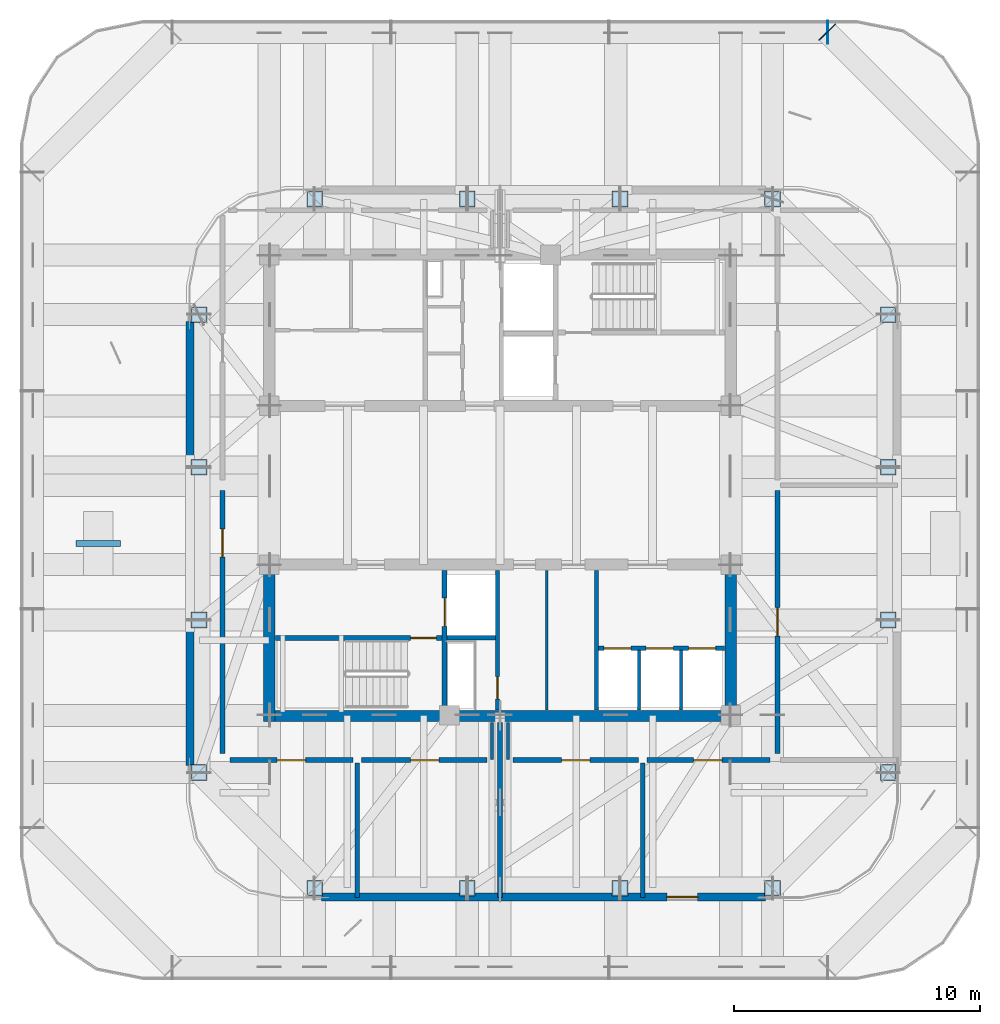
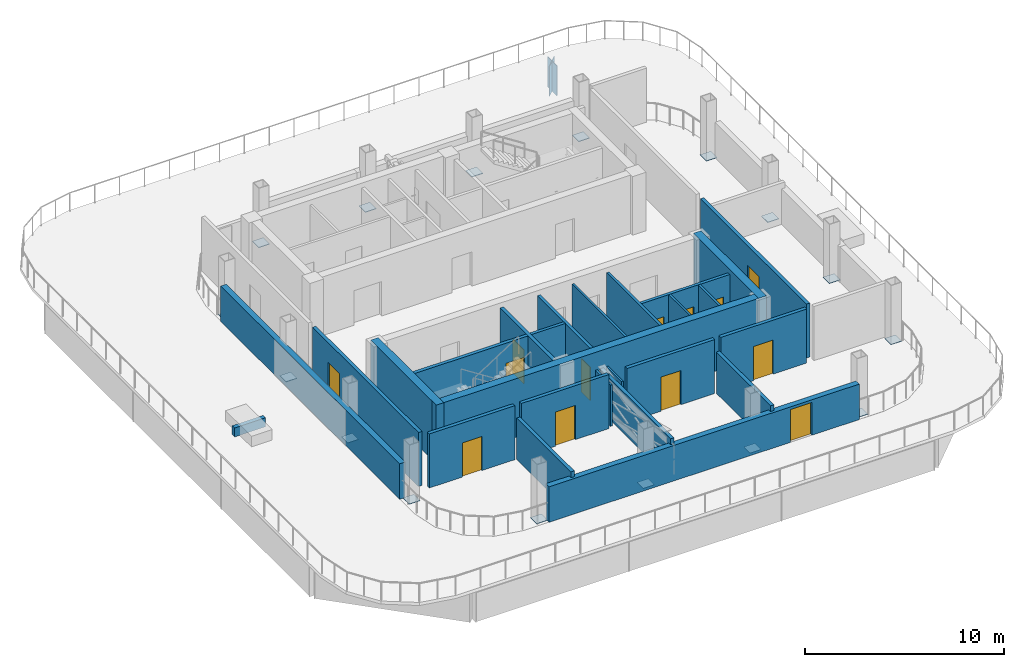
# One storey, part 4 of 10: 26 walls, 18 plates, 13 doors, 13 openings.
"""IFC4 building model written with IfcOpenShell, lengths in metres."""

from ifc_helpers import new_model, si_unit, direction, frame, frame_2d, origin, origin_2d, place, context, subcontext, project, spatial, rectangle, extrude, material, layer, layer_set, type_object, element, fill, save


model = new_model("IFC4")

# Units and contexts
model_context = context("Model", 3, precision=1e-05, world=origin(), true_north=direction((0.0, 1.0)))
body_context = subcontext(model_context, "Body", "Model", "MODEL_VIEW")
ifc_project = project(units=[si_unit("LENGTHUNIT", "METRE"), si_unit("AREAUNIT", "SQUARE_METRE"), si_unit("VOLUMEUNIT", "CUBIC_METRE"), si_unit("PLANEANGLEUNIT", "RADIAN"), si_unit("MASSUNIT", "GRAM", prefix="KILO")], contexts=[model_context])

# Site, building, storey
site_placement = place(None, origin())
site = spatial("IfcSite", under=ifc_project, at=site_placement, CompositionType="ELEMENT")
building_placement = place(site_placement, origin())
building = spatial("IfcBuilding", under=site, at=building_placement, Name="Qhalaya Broadcast Tower", CompositionType="ELEMENT")
storey_placement = place(building_placement, frame((0.0, 0.0, 231.300048828125)))
storey = spatial("IfcBuildingStorey", under=building, at=storey_placement, Name="L68", CompositionType="ELEMENT", Elevation=231.300048828125)

# Plates
ifc_material_1 = material(Name="Structural Steel ASTM A572 Grade 50", Category="steel")
ifc_layer_1 = layer(ifc_material_1, 0.4599609375, Name="Structural Steel ASTM A572 Grade 50")
ifc_layer_set_1 = layer_set([ifc_layer_1], Name="Structural Steel ASTM A572 Grade 50")
plate_type = type_object("IfcPlateType", Name="Hollow Box Member End Cap Plate CP-01", PredefinedType="USERDEFINED", material=ifc_layer_set_1)
for number, where, z_axis, x_axis, name in (
    (1, (13.288818359375, 19.01123046875, -2.10009765625), (0.0, 0.0, 1.0), (-0.707106781187, -0.707106781187, 0.0), "L68 Hollow Girder End Cap L68-TGL-08-B"),
    (2, (13.31591796875, 19.0, -2.10009765625), (0.0, 0.0, 1.0), (0.0, -1.0, 0.0), "L68 Hollow Girder End Cap L68-TGL-09-A"),
):
    element("IfcPlate", number, at=place(storey_placement, frame(where, z_axis=z_axis, x_axis=x_axis)), inside=storey, type_object=plate_type, Name=name, ObjectType="COVER_PLATE", PredefinedType="USERDEFINED", context=body_context, shape_type="SweptSolid", body=[
        extrude(rectangle(XDim=0.93994140625, YDim=0.031982421875, at=origin_2d()), origin(), (0.0, 0.0, 1.0), 1.840087890625),
    ])
for number, where, z_axis, x_axis, name in (
    (3, (-7.530029296875, -15.77001953125, -0.0322265625), (0.0, 0.0, 1.0), (1.0, 0.0, 0.0), "L68 Hollow Box Column Base Cap Plate COL-NK01"),
    (4, (-1.330078125, -15.77001953125, -0.0322265625), (0.0, 0.0, 1.0), (1.0, 0.0, 0.0), "L68 Hollow Box Column Base Cap Plate COL-NK02"),
    (5, (4.8701171875, -15.77001953125, -0.0322265625), (0.0, 0.0, 1.0), (1.0, 0.0, 0.0), "L68 Hollow Box Column Base Cap Plate COL-NK03"),
    (6, (11.070068359375, -15.77001953125, -0.0322265625), (0.0, 0.0, 1.0), (1.0, 0.0, 0.0), "L68 Hollow Box Column Base Cap Plate COL-NK04"),
    (7, (15.77001953125, -11.070068359375, -0.0322265625), (0.0, 0.0, 1.0), (0.0, 1.0, 0.0), "L68 Hollow Box Column Base Cap Plate COL-NK05"),
    (8, (15.77001953125, -4.8701171875, -0.0322265625), (0.0, 0.0, 1.0), (0.0, 1.0, 0.0), "L68 Hollow Box Column Base Cap Plate COL-NK06"),
    (9, (15.77001953125, 1.330078125, -0.0322265625), (0.0, 0.0, 1.0), (0.0, 1.0, 0.0), "L68 Hollow Box Column Base Cap Plate COL-NK07"),
    (10, (15.77001953125, 7.530029296875, -0.0322265625), (0.0, 0.0, 1.0), (0.0, 1.0, 0.0), "L68 Hollow Box Column Base Cap Plate COL-NK08"),
    (11, (11.070068359375, 12.22998046875, -0.0322265625), (0.0, 0.0, 1.0), (1.0, 0.0, 0.0), "L68 Hollow Box Column Base Cap Plate COL-NK09"),
    (12, (4.8701171875, 12.22998046875, -0.0322265625), (0.0, 0.0, 1.0), (1.0, 0.0, 0.0), "L68 Hollow Box Column Base Cap Plate COL-NK10"),
    (13, (-1.330078125, 12.22998046875, -0.0322265625), (0.0, 0.0, 1.0), (1.0, 0.0, 0.0), "L68 Hollow Box Column Base Cap Plate COL-NK11"),
    (14, (-7.530029296875, 12.22998046875, -0.0322265625), (0.0, 0.0, 1.0), (1.0, 0.0, 0.0), "L68 Hollow Box Column Base Cap Plate COL-NK12"),
    (15, (-12.22998046875, 7.530029296875, -0.0322265625), (0.0, 0.0, 1.0), (0.0, 1.0, 0.0), "L68 Hollow Box Column Base Cap Plate COL-NK13"),
    (16, (-12.22998046875, 1.330078125, -0.0322265625), (0.0, 0.0, 1.0), (0.0, 1.0, 0.0), "L68 Hollow Box Column Base Cap Plate COL-NK14"),
    (17, (-12.22998046875, -4.8701171875, -0.0322265625), (0.0, 0.0, 1.0), (0.0, 1.0, 0.0), "L68 Hollow Box Column Base Cap Plate COL-NK15"),
    (18, (-12.22998046875, -11.070068359375, -0.0322265625), (0.0, 0.0, 1.0), (0.0, 1.0, 0.0), "L68 Hollow Box Column Base Cap Plate COL-NK16"),
):
    element("IfcPlate", number, at=place(storey_placement, frame(where, z_axis=z_axis, x_axis=x_axis)), inside=storey, type_object=plate_type, Name=name, ObjectType="COVER_PLATE", PredefinedType="USERDEFINED", context=body_context, shape_type="SweptSolid", body=[
        extrude(rectangle(XDim=0.639892578125, YDim=0.639892578125, at=origin_2d()), origin(), (0.0, 0.0, 1.0), 0.031982421875),
    ])

# Walls
ifc_material_2 = material(Name="Gypsum Acoustic Partition")
ifc_layer_2 = layer(ifc_material_2, 0.14990234375, Name="Gypsum Acoustic Partition")
ifc_layer_set_2 = layer_set([ifc_layer_2], Name="Gypsum Acoustic Partition")
wall_type_1 = type_object("IfcWallType", Name="Corridor & Tenancy Acoustic Partition 150", PredefinedType="PARTITIONING", material=ifc_layer_set_2)
wall_1_placement = place(storey_placement, frame((3.919921875, -8.530029296875, 0.0), z_axis=(0.0, 0.0, 1.0), x_axis=(0.0, 1.0, 0.0)))
element("IfcWall", 19, at=wall_1_placement, inside=storey, type_object=wall_type_1, Name="L68 Partition Wall SCW-HSEP", PredefinedType="PARTITIONING", context=body_context, shape_type="SweptSolid", body=[
    extrude(rectangle(XDim=5.659912109375, YDim=0.14990234375, at=frame_2d((2.830078125, 0.0))), origin(), (0.0, 0.0, 1.0), 3.320068359375),
])
ifc_layer_3 = layer(ifc_material_2, 0.199951171875, Name="Gypsum Acoustic Partition")
ifc_layer_set_3 = layer_set([ifc_layer_3], Name="Gypsum Acoustic Partition")
wall_type_2 = type_object("IfcWallType", Name="Firefighting Lobby & Stair Enclosure Wall 200", PredefinedType="PARTITIONING", material=ifc_layer_set_3)
wall_2_placement = place(storey_placement, frame((0.0, -16.14990234375, 0.0), z_axis=(0.0, 0.0, 1.0), x_axis=(0.0, 1.0, 0.0)))
element("IfcWall", 20, at=wall_2_placement, inside=storey, type_object=wall_type_2, Name="L68 Partition Wall W-OBS", PredefinedType="PARTITIONING", context=body_context, shape_type="SweptSolid", body=[
    extrude(rectangle(XDim=7.10986328125, YDim=0.199951171875, at=frame_2d((3.554931640625, 0.0))), origin(), (0.0, 0.0, 1.0), 2.537841796875),
])

# Wall, opening, door
wall_3_placement = place(storey_placement, frame((-10.969970703125, -10.570068359375, 0.0), z_axis=(0.0, 0.0, 1.0), x_axis=(1.0, 0.0, 0.0)))
wall_3 = element("IfcWall", 21, at=wall_3_placement, inside=storey, type_object=wall_type_2, Name="L68 Partition Wall W-PCS0", PredefinedType="PARTITIONING", context=body_context, shape_type="SweptSolid", body=[
    extrude(rectangle(XDim=4.989990234375, YDim=0.199951171875, at=frame_2d((2.4951171875, 0.0))), origin(), (0.0, 0.0, 1.0), 3.320068359375),
])
opening_1_placement = place(wall_3_placement, frame((1.919921875, 0.0, 0.0)))
opening_1 = element("IfcOpeningElement", 22, at=opening_1_placement, cuts=wall_3, Name="Opening D05", PredefinedType="OPENING", context=body_context, shape_type="SweptSolid", body=[
    extrude(rectangle(XDim=1.14990234375, YDim=2.10009765625, at=frame_2d((0.574951171875, 1.050048828125))), frame((0.0, 0.112060546875, 0.0), z_axis=(0.0, -1.0, 0.0), x_axis=(1.0, 0.0, 0.0)), (0.0, 0.0, 1.0), 0.223876953125),
])
ifc_material_3 = material(Name="Fire-Rated Steel Door", Category="steel")
door_type_1 = type_object("IfcDoorType", Name="Refuge & Plant Room Fire Door D05", OperationType="NOTDEFINED", PredefinedType="DOOR", material=ifc_material_3)
door_1_placement = place(opening_1_placement, origin())
door_1 = element("IfcDoor", 23, at=door_1_placement, inside=storey, type_object=door_type_1, Name="L68 Door D-PCS0", OperationType="SINGLE_SWING_RIGHT", OverallHeight=2.10009765625, OverallWidth=1.14990234375, PredefinedType="DOOR", context=body_context, shape_type="SweptSolid", body=[
    extrude(rectangle(XDim=1.14990234375, YDim=2.10009765625, at=frame_2d((0.574951171875, 1.050048828125))), frame((0.0, 0.02490234375, 0.0), z_axis=(0.0, -1.0, 0.0), x_axis=(1.0, 0.0, 0.0)), (0.0, 0.0, 1.0), 0.050048828125),
])
fill(opening_1, door_1)

# Wall
wall_4_placement = place(storey_placement, frame((-5.800048828125, -16.14990234375, 0.0), z_axis=(0.0, 0.0, 1.0), x_axis=(0.0, 1.0, 0.0)))
element("IfcWall", 24, at=wall_4_placement, inside=storey, type_object=wall_type_2, Name="L68 Partition Wall W-PDS1", PredefinedType="PARTITIONING", context=body_context, shape_type="SweptSolid", body=[
    extrude(rectangle(XDim=5.4599609375, YDim=0.199951171875, at=frame_2d((2.72998046875, 0.0))), origin(), (0.0, 0.0, 1.0), 2.537841796875),
])

# Wall, opening, door
wall_5_placement = place(storey_placement, frame((-5.6201171875, -10.570068359375, 0.0), z_axis=(0.0, 0.0, 1.0), x_axis=(1.0, 0.0, 0.0)))
wall_5 = element("IfcWall", 25, at=wall_5_placement, inside=storey, type_object=wall_type_2, Name="L68 Partition Wall W-PCS1", PredefinedType="PARTITIONING", context=body_context, shape_type="SweptSolid", body=[
    extrude(rectangle(XDim=5.090087890625, YDim=0.199951171875, at=frame_2d((2.544921875, 0.0))), origin(), (0.0, 0.0, 1.0), 3.320068359375),
])
opening_2_placement = place(wall_5_placement, frame((1.989990234375, 0.0, 0.0)))
opening_2 = element("IfcOpeningElement", 26, at=opening_2_placement, cuts=wall_5, Name="Opening D05", PredefinedType="OPENING", context=body_context, shape_type="SweptSolid", body=[
    extrude(rectangle(XDim=1.14990234375, YDim=2.10009765625, at=frame_2d((0.574951171875, 1.050048828125))), frame((0.0, 0.112060546875, 0.0), z_axis=(0.0, -1.0, 0.0), x_axis=(1.0, 0.0, 0.0)), (0.0, 0.0, 1.0), 0.223876953125),
])
door_2_placement = place(opening_2_placement, origin())
door_2 = element("IfcDoor", 27, at=door_2_placement, inside=storey, type_object=door_type_1, Name="L68 Door D-PCS1", OperationType="SINGLE_SWING_RIGHT", OverallHeight=2.10009765625, OverallWidth=1.14990234375, PredefinedType="DOOR", context=body_context, shape_type="SweptSolid", body=[
    extrude(rectangle(XDim=1.14990234375, YDim=2.10009765625, at=frame_2d((0.574951171875, 1.050048828125))), frame((0.0, 0.02490234375, 0.0), z_axis=(0.0, -1.0, 0.0), x_axis=(1.0, 0.0, 0.0)), (0.0, 0.0, 1.0), 0.050048828125),
])
fill(opening_2, door_2)

wall_6_placement = place(storey_placement, frame((0.530029296875, -10.570068359375, 0.0), z_axis=(0.0, 0.0, 1.0), x_axis=(1.0, 0.0, 0.0)))
wall_6 = element("IfcWall", 28, at=wall_6_placement, inside=storey, type_object=wall_type_2, Name="L68 Partition Wall W-PCS2", PredefinedType="PARTITIONING", context=body_context, shape_type="SweptSolid", body=[
    extrude(rectangle(XDim=5.090087890625, YDim=0.199951171875, at=frame_2d((2.544921875, 0.0))), origin(), (0.0, 0.0, 1.0), 3.320068359375),
])
opening_3_placement = place(wall_6_placement, frame((1.969970703125, 0.0, 0.0)))
opening_3 = element("IfcOpeningElement", 29, at=opening_3_placement, cuts=wall_6, Name="Opening D05", PredefinedType="OPENING", context=body_context, shape_type="SweptSolid", body=[
    extrude(rectangle(XDim=1.14990234375, YDim=2.10009765625, at=frame_2d((0.574951171875, 1.050048828125))), frame((0.0, 0.112060546875, 0.0), z_axis=(0.0, -1.0, 0.0), x_axis=(1.0, 0.0, 0.0)), (0.0, 0.0, 1.0), 0.223876953125),
])
door_3_placement = place(opening_3_placement, origin())
door_3 = element("IfcDoor", 30, at=door_3_placement, inside=storey, type_object=door_type_1, Name="L68 Door D-PCS2", OperationType="SINGLE_SWING_RIGHT", OverallHeight=2.10009765625, OverallWidth=1.14990234375, PredefinedType="DOOR", context=body_context, shape_type="SweptSolid", body=[
    extrude(rectangle(XDim=1.14990234375, YDim=2.10009765625, at=frame_2d((0.574951171875, 1.050048828125))), frame((0.0, 0.02490234375, 0.0), z_axis=(0.0, -1.0, 0.0), x_axis=(1.0, 0.0, 0.0)), (0.0, 0.0, 1.0), 0.050048828125),
])
fill(opening_3, door_3)

# Wall
wall_7_placement = place(storey_placement, frame((5.800048828125, -16.14990234375, 0.0), z_axis=(0.0, 0.0, 1.0), x_axis=(0.0, 1.0, 0.0)))
element("IfcWall", 31, at=wall_7_placement, inside=storey, type_object=wall_type_2, Name="L68 Partition Wall W-PDS3", PredefinedType="PARTITIONING", context=body_context, shape_type="SweptSolid", body=[
    extrude(rectangle(XDim=5.4599609375, YDim=0.199951171875, at=frame_2d((2.72998046875, 0.0))), origin(), (0.0, 0.0, 1.0), 2.537841796875),
])

# Wall, opening, door
wall_8_placement = place(storey_placement, frame((5.97998046875, -10.570068359375, 0.0), z_axis=(0.0, 0.0, 1.0), x_axis=(1.0, 0.0, 0.0)))
wall_8 = element("IfcWall", 32, at=wall_8_placement, inside=storey, type_object=wall_type_2, Name="L68 Partition Wall W-PCS3", PredefinedType="PARTITIONING", context=body_context, shape_type="SweptSolid", body=[
    extrude(rectangle(XDim=4.989990234375, YDim=0.199951171875, at=frame_2d((2.4951171875, 0.0))), origin(), (0.0, 0.0, 1.0), 3.320068359375),
])
opening_4_placement = place(wall_8_placement, frame((1.889892578125, 0.0, 0.0)))
opening_4 = element("IfcOpeningElement", 33, at=opening_4_placement, cuts=wall_8, Name="Opening D05", PredefinedType="OPENING", context=body_context, shape_type="SweptSolid", body=[
    extrude(rectangle(XDim=1.14990234375, YDim=2.10009765625, at=frame_2d((0.574951171875, 1.050048828125))), frame((0.0, 0.112060546875, 0.0), z_axis=(0.0, -1.0, 0.0), x_axis=(1.0, 0.0, 0.0)), (0.0, 0.0, 1.0), 0.223876953125),
])
door_4_placement = place(opening_4_placement, origin())
door_4 = element("IfcDoor", 34, at=door_4_placement, inside=storey, type_object=door_type_1, Name="L68 Door D-PCS3", OperationType="SINGLE_SWING_RIGHT", OverallHeight=2.10009765625, OverallWidth=1.14990234375, PredefinedType="DOOR", context=body_context, shape_type="SweptSolid", body=[
    extrude(rectangle(XDim=1.14990234375, YDim=2.10009765625, at=frame_2d((0.574951171875, 1.050048828125))), frame((0.0, 0.02490234375, 0.0), z_axis=(0.0, -1.0, 0.0), x_axis=(1.0, 0.0, 0.0)), (0.0, 0.0, 1.0), 0.050048828125),
])
fill(opening_4, door_4)

wall_9_placement = place(storey_placement, frame((-11.27001953125, 0.389892578125, 0.0), z_axis=(0.0, 0.0, 1.0), x_axis=(0.0, -1.0, 0.0)))
wall_9 = element("IfcWall", 35, at=wall_9_placement, inside=storey, type_object=wall_type_2, Name="L68 Partition Wall W-PCW1", PredefinedType="PARTITIONING", context=body_context, shape_type="SweptSolid", body=[
    extrude(rectangle(XDim=10.679931640625, YDim=0.199951171875, at=frame_2d((5.33984375, 0.0))), origin(), (0.0, 0.0, 1.0), 3.320068359375),
])
opening_5_placement = place(wall_9_placement, frame((1.56103515625, 0.0, 0.0)))
opening_5 = element("IfcOpeningElement", 36, at=opening_5_placement, cuts=wall_9, Name="Opening D05", PredefinedType="OPENING", context=body_context, shape_type="SweptSolid", body=[
    extrude(rectangle(XDim=1.14990234375, YDim=2.10009765625, at=frame_2d((0.574951171875, 1.050048828125))), frame((0.0, 0.112060546875, 0.0), z_axis=(0.0, -1.0, 0.0), x_axis=(1.0, 0.0, 0.0)), (0.0, 0.0, 1.0), 0.223876953125),
])
door_5_placement = place(opening_5_placement, origin())
door_5 = element("IfcDoor", 37, at=door_5_placement, inside=storey, type_object=door_type_1, Name="L68 Door D-PCW1", OperationType="SINGLE_SWING_LEFT", OverallHeight=2.10009765625, OverallWidth=1.14990234375, PredefinedType="DOOR", context=body_context, shape_type="SweptSolid", body=[
    extrude(rectangle(XDim=1.14990234375, YDim=2.10009765625, at=frame_2d((0.574951171875, 1.050048828125))), frame((0.0, 0.02490234375, 0.0), z_axis=(0.0, -1.0, 0.0), x_axis=(1.0, 0.0, 0.0)), (0.0, 0.0, 1.0), 0.050048828125),
])
fill(opening_5, door_5)

wall_10_placement = place(storey_placement, frame((11.27001953125, -10.2900390625, 0.0), z_axis=(0.0, 0.0, 1.0), x_axis=(0.0, 1.0, 0.0)))
wall_10 = element("IfcWall", 38, at=wall_10_placement, inside=storey, type_object=wall_type_2, Name="L68 Partition Wall W-PCE1", PredefinedType="PARTITIONING", context=body_context, shape_type="SweptSolid", body=[
    extrude(rectangle(XDim=10.679931640625, YDim=0.199951171875, at=frame_2d((5.33984375, 0.0))), origin(), (0.0, 0.0, 1.0), 3.320068359375),
])
opening_6_placement = place(wall_10_placement, frame((4.764892578125, 0.0, 0.0)))
opening_6 = element("IfcOpeningElement", 39, at=opening_6_placement, cuts=wall_10, Name="Opening D05", PredefinedType="OPENING", context=body_context, shape_type="SweptSolid", body=[
    extrude(rectangle(XDim=1.14990234375, YDim=2.10009765625, at=frame_2d((0.574951171875, 1.050048828125))), frame((0.0, 0.112060546875, 0.0), z_axis=(0.0, -1.0, 0.0), x_axis=(1.0, 0.0, 0.0)), (0.0, 0.0, 1.0), 0.223876953125),
])
door_6_placement = place(opening_6_placement, origin())
door_6 = element("IfcDoor", 40, at=door_6_placement, inside=storey, type_object=door_type_1, Name="L68 Door D-PCE1", OperationType="SINGLE_SWING_RIGHT", OverallHeight=2.10009765625, OverallWidth=1.14990234375, PredefinedType="DOOR", context=body_context, shape_type="SweptSolid", body=[
    extrude(rectangle(XDim=1.14990234375, YDim=2.10009765625, at=frame_2d((0.574951171875, 1.050048828125))), frame((0.0, 0.02490234375, 0.0), z_axis=(0.0, -1.0, 0.0), x_axis=(1.0, 0.0, 0.0)), (0.0, 0.0, 1.0), 0.050048828125),
])
fill(opening_6, door_6)

ifc_material_4 = material(Name="Concrete C50/60", Category="concrete")
ifc_layer_4 = layer(ifc_material_4, 0.199951171875, Name="Concrete C50/60")
ifc_layer_set_4 = layer_set([ifc_layer_4], Name="Concrete C50/60")
wall_type_3 = type_object("IfcWallType", Name="Load-Bearing Stair Shaft Wall 200", PredefinedType="SHEAR", material=ifc_layer_set_4)
wall_11_placement = place(storey_placement, frame((-9.1298828125, -5.60498046875, 0.0), z_axis=(0.0, 0.0, 1.0), x_axis=(1.0, 0.0, 0.0)))
wall_11 = element("IfcWall", 41, at=wall_11_placement, inside=storey, type_object=wall_type_3, Name="L68 Stair Core Shear Wall SCW-ST2", PredefinedType="SHEAR", context=body_context, shape_type="SweptSolid", body=[
    extrude(rectangle(XDim=6.769775390625, YDim=0.199951171875, at=frame_2d((3.384765625, 0.0))), origin(), (0.0, 0.0, 1.0), 3.320068359375),
])
opening_7_placement = place(wall_11_placement, frame((5.5, 0.0, 0.0)))
opening_7 = element("IfcOpeningElement", 42, at=opening_7_placement, cuts=wall_11, Name="Opening D03", PredefinedType="OPENING", context=body_context, shape_type="SweptSolid", body=[
    extrude(rectangle(XDim=1.050048828125, YDim=2.080078125, at=frame_2d((0.52490234375, 1.0400390625))), frame((0.0, 0.112060546875, 0.0), z_axis=(0.0, -1.0, 0.0), x_axis=(1.0, 0.0, 0.0)), (0.0, 0.0, 1.0), 0.223876953125),
])
door_type_2 = type_object("IfcDoorType", Name="Core Stair Protected Fire Door D03", OperationType="NOTDEFINED", PredefinedType="DOOR", material=ifc_material_3)
door_7_placement = place(opening_7_placement, origin())
door_7 = element("IfcDoor", 43, at=door_7_placement, inside=storey, type_object=door_type_2, Name="L68 Door D-SST2", OperationType="SINGLE_SWING_RIGHT", OverallHeight=2.080078125, OverallWidth=1.050048828125, PredefinedType="DOOR", context=body_context, shape_type="SweptSolid", body=[
    extrude(rectangle(XDim=1.050048828125, YDim=2.080078125, at=frame_2d((0.52490234375, 1.0400390625))), frame((0.0, 0.02490234375, 0.0), z_axis=(0.0, -1.0, 0.0), x_axis=(1.0, 0.0, 0.0)), (0.0, 0.0, 1.0), 0.050048828125),
])
fill(opening_7, door_7)

wall_12_placement = place(storey_placement, frame((-2.25, -8.530029296875, 0.0), z_axis=(0.0, 0.0, 1.0), x_axis=(0.0, 1.0, 0.0)))
wall_12 = element("IfcWall", 44, at=wall_12_placement, inside=storey, type_object=wall_type_3, Name="L68 Stair Core Shear Wall SCW-FF", PredefinedType="SHEAR", context=body_context, shape_type="SweptSolid", body=[
    extrude(rectangle(XDim=5.659912109375, YDim=0.199951171875, at=frame_2d((2.830078125, 0.0))), origin(), (0.0, 0.0, 1.0), 3.320068359375),
])
opening_8_placement = place(wall_12_placement, frame((3.39990234375, 0.0, 0.0)))
opening_8 = element("IfcOpeningElement", 45, at=opening_8_placement, cuts=wall_12, Name="Opening LD2", PredefinedType="OPENING", context=body_context, shape_type="SweptSolid", body=[
    extrude(rectangle(XDim=1.14990234375, YDim=2.080078125, at=frame_2d((0.574951171875, 1.0400390625))), frame((0.0, 0.112060546875, 0.0), z_axis=(0.0, -1.0, 0.0), x_axis=(1.0, 0.0, 0.0)), (0.0, 0.0, 1.0), 0.223876953125),
])
ifc_material_5 = material(Name="Brushed Stainless Steel Lift Door", Category="steel")
door_type_3 = type_object("IfcDoorType", Name="Firefighting Lift Sliding Landing Door LD2", OperationType="DOUBLE_DOOR_SLIDING", PredefinedType="DOOR", material=ifc_material_5)
door_8_placement = place(opening_8_placement, origin())
door_8 = element("IfcDoor", 46, at=door_8_placement, inside=storey, type_object=door_type_3, Name="L68 Door LD-FF2", OperationType="DOUBLE_DOOR_SLIDING", OverallHeight=2.080078125, OverallWidth=1.14990234375, PredefinedType="DOOR", context=body_context, shape_type="SweptSolid", body=[
    extrude(rectangle(XDim=1.14990234375, YDim=2.080078125, at=frame_2d((0.574951171875, 1.0400390625))), frame((0.0, 0.02490234375, 0.0), z_axis=(0.0, -1.0, 0.0), x_axis=(1.0, 0.0, 0.0)), (0.0, 0.0, 1.0), 0.050048828125),
])
fill(opening_8, door_8)

# Walls
ifc_layer_5 = layer(ifc_material_2, 0.1201171875, Name="Gypsum Acoustic Partition")
ifc_layer_set_5 = layer_set([ifc_layer_5], Name="Gypsum Acoustic Partition")
wall_type_4 = type_object("IfcWallType", Name="Office, Booth & Sanitary Partition 120", PredefinedType="PARTITIONING", material=ifc_layer_set_5)
wall_13_placement = place(storey_placement, frame((1.89990234375, -8.530029296875, 0.0), z_axis=(0.0, 0.0, 1.0), x_axis=(0.0, 1.0, 0.0)))
element("IfcWall", 47, at=wall_13_placement, inside=storey, type_object=wall_type_4, Name="L68 Partition Wall SCW-RKB", PredefinedType="PARTITIONING", context=body_context, shape_type="SweptSolid", body=[
    extrude(rectangle(XDim=5.659912109375, YDim=0.1201171875, at=frame_2d((2.830078125, 0.0))), origin(), (0.0, 0.0, 1.0), 3.320068359375),
])
for number, where, z_axis, x_axis, name in (
    (48, (5.639892578125, -8.530029296875, 0.0), (0.0, 0.0, 1.0), (0.0, 1.0, 0.0), "L68 Partition Wall SCW-HD6"),
    (49, (7.360107421875, -8.530029296875, 0.0), (0.0, 0.0, 1.0), (0.0, 1.0, 0.0), "L68 Partition Wall SCW-HD7"),
):
    element("IfcWall", number, at=place(storey_placement, frame(where, z_axis=z_axis, x_axis=x_axis)), inside=storey, type_object=wall_type_4, Name=name, PredefinedType="PARTITIONING", context=body_context, shape_type="SweptSolid", body=[
        extrude(rectangle(XDim=2.429931640625, YDim=0.1201171875, at=frame_2d((1.21484375, 0.0))), origin(), (0.0, 0.0, 1.0), 3.320068359375),
    ])
for number, where, z_axis, x_axis, name in (
    (50, (-0.320068359375, -10.550048828125, 0.0), (0.0, 0.0, 1.0), (0.0, 1.0, 0.0), "L68 Partition Wall W-OBSCW"),
    (51, (0.320068359375, -10.550048828125, 0.0), (0.0, 0.0, 1.0), (0.0, 1.0, 0.0), "L68 Partition Wall W-OBSCE"),
):
    element("IfcWall", number, at=place(storey_placement, frame(where, z_axis=z_axis, x_axis=x_axis)), inside=storey, type_object=wall_type_4, Name=name, PredefinedType="PARTITIONING", context=body_context, shape_type="SweptSolid", body=[
        extrude(rectangle(XDim=1.510009765625, YDim=0.1201171875, at=frame_2d((0.7548828125, 0.0))), origin(), (0.0, 0.0, 1.0), 2.537841796875),
    ])
ifc_material_6 = material(Name="Precast Concrete C40/50", Category="concrete")
ifc_layer_6 = layer(ifc_material_6, 0.239990234375, Name="Precast Concrete C40/50")
ifc_layer_set_6 = layer_set([ifc_layer_6], Name="Precast Concrete C40/50")
wall_type_5 = type_object("IfcWallType", Name="Planted Terrace & Roof Parapet Upstand 240", PredefinedType="PARAPET", material=ifc_layer_set_6)
wall_14_placement = place(storey_placement, frame((-17.215087890625, -1.77001953125, 0.0), z_axis=(0.0, 0.0, 1.0), x_axis=(1.0, 0.0, 0.0)))
element("IfcWall", 52, at=wall_14_placement, inside=storey, type_object=wall_type_5, Name="L68 Planted Parapet Upstand PW-1", PredefinedType="PARAPET", context=body_context, shape_type="SweptSolid", body=[
    extrude(rectangle(XDim=1.800048828125, YDim=0.239990234375, at=frame_2d((0.89990234375, 0.0))), origin(), (0.0, 0.0, 1.0), 0.550048828125),
])

# Wall, opening, door
ifc_layer_7 = layer(ifc_material_6, 0.320068359375, Name="Precast Concrete C40/50")
ifc_layer_set_7 = layer_set([ifc_layer_7], Name="Precast Concrete C40/50")
wall_type_6 = type_object("IfcWallType", Name="Recessed Neck Insulated Exterior Wall 320", PredefinedType="SOLIDWALL", material=ifc_layer_set_7)
wall_15_placement = place(storey_placement, frame((10.781982421875, -16.1298828125, 0.0), z_axis=(0.0, 0.0, 1.0), x_axis=(-1.0, 0.0, 0.0)))
wall_15 = element("IfcWall", 53, at=wall_15_placement, inside=storey, type_object=wall_type_6, Name="L68 Exterior Facade Wall S", PredefinedType="SOLIDWALL", context=body_context, shape_type="SweptSolid", body=[
    extrude(rectangle(XDim=18.02392578125, YDim=0.320068359375, at=frame_2d((9.011962890625, 0.0))), origin(), (0.0, 0.0, 1.0), 2.181884765625),
])
opening_9_placement = place(wall_15_placement, frame((2.7529296875, 0.0, 0.0)))
opening_9 = element("IfcOpeningElement", 54, at=opening_9_placement, cuts=wall_15, Name="Opening D13", PredefinedType="OPENING", context=body_context, shape_type="SweptSolid", body=[
    extrude(rectangle(XDim=1.25, YDim=2.02001953125, at=frame_2d((0.625, 1.010009765625))), frame((0.0, 0.172119140625, 0.0), z_axis=(0.0, -1.0, 0.0), x_axis=(1.0, 0.0, 0.0)), (0.0, 0.0, 1.0), 0.343994140625),
])
ifc_material_7 = material(Name="Anodised Aluminium Glazed Door", Category="aluminium")
door_type_4 = type_object("IfcDoorType", Name="Sky-Garden, Sky-Pool & Lookout Terrace Door D13", OperationType="NOTDEFINED", PredefinedType="DOOR", material=ifc_material_7)
door_9_placement = place(opening_9_placement, origin())
door_9 = element("IfcDoor", 55, at=door_9_placement, inside=storey, type_object=door_type_4, Name="L68 Outdoor Terrace Access Door S", OperationType="SINGLE_SWING_LEFT", OverallHeight=2.02001953125, OverallWidth=1.25, PredefinedType="DOOR", context=body_context, shape_type="SweptSolid", body=[
    extrude(rectangle(XDim=1.25, YDim=2.02001953125, at=frame_2d((0.625, 1.010009765625))), frame((0.0, 0.02490234375, 0.0), z_axis=(0.0, -1.0, 0.0), x_axis=(1.0, 0.0, 0.0)), (0.0, 0.0, 1.0), 0.050048828125),
])
fill(opening_9, door_9)

# Wall
wall_16_placement = place(storey_placement, frame((-12.590087890625, -10.781982421875, 0.0), z_axis=(0.0, 0.0, 1.0), x_axis=(0.0, 1.0, 0.0)))
element("IfcWall", 56, at=wall_16_placement, inside=storey, type_object=wall_type_6, Name="L68 Exterior Facade Wall W", PredefinedType="SOLIDWALL", context=body_context, shape_type="SweptSolid", body=[
    extrude(rectangle(XDim=18.02392578125, YDim=0.320068359375, at=frame_2d((9.011962890625, 0.0))), origin(), (0.0, 0.0, 1.0), 2.181884765625),
])

# Wall, opening, door
ifc_layer_8 = layer(ifc_material_2, 0.175048828125, Name="Gypsum Acoustic Partition")
ifc_layer_set_8 = layer_set([ifc_layer_8], Name="Gypsum Acoustic Partition")
wall_type_7 = type_object("IfcWallType", Name="Shaft & Riser Fire Partition 175", PredefinedType="PARTITIONING", material=ifc_layer_set_8)
wall_17_placement = place(storey_placement, frame((-0.10009765625, -8.530029296875, 0.0), z_axis=(0.0, 0.0, 1.0), x_axis=(0.0, 1.0, 0.0)))
wall_17 = element("IfcWall", 57, at=wall_17_placement, inside=storey, type_object=wall_type_7, Name="L68 Partition Wall SCW-FFE", PredefinedType="PARTITIONING", context=body_context, shape_type="SweptSolid", body=[
    extrude(rectangle(XDim=5.659912109375, YDim=0.175048828125, at=frame_2d((2.830078125, 0.0))), origin(), (0.0, 0.0, 1.0), 3.320068359375),
])
opening_10_placement = place(wall_17_placement, frame((0.449951171875, 0.0, 0.0)))
opening_10 = element("IfcOpeningElement", 58, at=opening_10_placement, cuts=wall_17, Name="Opening D06", PredefinedType="OPENING", context=body_context, shape_type="SweptSolid", body=[
    extrude(rectangle(XDim=0.89990234375, YDim=2.050048828125, at=frame_2d((0.449951171875, 1.02490234375))), frame((0.0, 0.099609375, 0.0), z_axis=(0.0, -1.0, 0.0), x_axis=(1.0, 0.0, 0.0)), (0.0, 0.0, 1.0), 0.198974609375),
])
door_type_5 = type_object("IfcDoorType", Name="Riser & Electrical Shaft Access Door D06", OperationType="NOTDEFINED", PredefinedType="DOOR", material=ifc_material_3)
door_10_placement = place(opening_10_placement, origin())
door_10 = element("IfcDoor", 59, at=door_10_placement, inside=storey, type_object=door_type_5, Name="L68 Riser Shaft Access Door D-SRSR", OperationType="SINGLE_SWING_LEFT", OverallHeight=2.050048828125, OverallWidth=0.89990234375, PredefinedType="DOOR", context=body_context, shape_type="SweptSolid", body=[
    extrude(rectangle(XDim=0.89990234375, YDim=2.050048828125, at=frame_2d((0.449951171875, 1.02490234375))), frame((0.0, 0.02490234375, 0.0), z_axis=(0.0, -1.0, 0.0), x_axis=(1.0, 0.0, 0.0)), (0.0, 0.0, 1.0), 0.050048828125),
])
fill(opening_10, door_10)

# Wall
wall_18_placement = place(storey_placement, frame((-2.14990234375, -5.60009765625, 0.0), z_axis=(0.0, 0.0, 1.0), x_axis=(1.0, 0.0, 0.0)))
element("IfcWall", 60, at=wall_18_placement, inside=storey, type_object=wall_type_7, Name="L68 Partition Wall SCW-FFM", PredefinedType="PARTITIONING", context=body_context, shape_type="SweptSolid", body=[
    extrude(rectangle(XDim=1.969970703125, YDim=0.175048828125, at=frame_2d((0.98486328125, 0.0))), origin(), (0.0, 0.0, 1.0), 3.320068359375),
])

# Wall, openings, doors
wall_19_placement = place(storey_placement, frame((4.0, -6.02001953125, 0.0), z_axis=(0.0, 0.0, 1.0), x_axis=(1.0, 0.0, 0.0)))
wall_19 = element("IfcWall", 61, at=wall_19_placement, inside=storey, type_object=wall_type_7, Name="L68 Partition Wall SCW-SLB", PredefinedType="PARTITIONING", context=body_context, shape_type="SweptSolid", body=[
    extrude(rectangle(XDim=5.1298828125, YDim=0.175048828125, at=frame_2d((2.56494140625, 0.0))), origin(), (0.0, 0.0, 1.0), 3.320068359375),
])
opening_11_placement = place(wall_19_placement, frame((0.219970703125, 0.0, 0.0)))
opening_11 = element("IfcOpeningElement", 62, at=opening_11_placement, cuts=wall_19, Name="Opening LD1", PredefinedType="OPENING", context=body_context, shape_type="SweptSolid", body=[
    extrude(rectangle(XDim=1.10009765625, YDim=2.06005859375, at=frame_2d((0.550048828125, 1.030029296875))), frame((0.0, 0.099609375, 0.0), z_axis=(0.0, -1.0, 0.0), x_axis=(1.0, 0.0, 0.0)), (0.0, 0.0, 1.0), 0.198974609375),
])
opening_12_placement = place(wall_19_placement, frame((1.93994140625, 0.0, 0.0)))
opening_12 = element("IfcOpeningElement", 63, at=opening_12_placement, cuts=wall_19, Name="Opening LD1", PredefinedType="OPENING", context=body_context, shape_type="SweptSolid", body=[
    extrude(rectangle(XDim=1.10009765625, YDim=2.06005859375, at=frame_2d((0.550048828125, 1.030029296875))), frame((0.0, 0.099609375, 0.0), z_axis=(0.0, -1.0, 0.0), x_axis=(1.0, 0.0, 0.0)), (0.0, 0.0, 1.0), 0.198974609375),
])
opening_13_placement = place(wall_19_placement, frame((3.659912109375, 0.0, 0.0)))
opening_13 = element("IfcOpeningElement", 64, at=opening_13_placement, cuts=wall_19, Name="Opening LD1", PredefinedType="OPENING", context=body_context, shape_type="SweptSolid", body=[
    extrude(rectangle(XDim=1.10009765625, YDim=2.06005859375, at=frame_2d((0.550048828125, 1.030029296875))), frame((0.0, 0.099609375, 0.0), z_axis=(0.0, -1.0, 0.0), x_axis=(1.0, 0.0, 0.0)), (0.0, 0.0, 1.0), 0.198974609375),
])
door_type_6 = type_object("IfcDoorType", Name="Passenger Lift Sliding Landing Door LD1", OperationType="DOUBLE_DOOR_SLIDING", PredefinedType="DOOR", material=ifc_material_5)
door_11_placement = place(opening_11_placement, origin())
door_11 = element("IfcDoor", 65, at=door_11_placement, inside=storey, type_object=door_type_6, Name="L68 Door LD-P6", OperationType="DOUBLE_DOOR_SLIDING", OverallHeight=2.06005859375, OverallWidth=1.10009765625, PredefinedType="DOOR", context=body_context, shape_type="SweptSolid", body=[
    extrude(rectangle(XDim=1.10009765625, YDim=2.06005859375, at=frame_2d((0.550048828125, 1.030029296875))), frame((0.0, 0.02490234375, 0.0), z_axis=(0.0, -1.0, 0.0), x_axis=(1.0, 0.0, 0.0)), (0.0, 0.0, 1.0), 0.050048828125),
])
fill(opening_11, door_11)
door_12_placement = place(opening_12_placement, origin())
door_12 = element("IfcDoor", 66, at=door_12_placement, inside=storey, type_object=door_type_6, Name="L68 Door LD-P7", OperationType="DOUBLE_DOOR_SLIDING", OverallHeight=2.06005859375, OverallWidth=1.10009765625, PredefinedType="DOOR", context=body_context, shape_type="SweptSolid", body=[
    extrude(rectangle(XDim=1.10009765625, YDim=2.06005859375, at=frame_2d((0.550048828125, 1.030029296875))), frame((0.0, 0.02490234375, 0.0), z_axis=(0.0, -1.0, 0.0), x_axis=(1.0, 0.0, 0.0)), (0.0, 0.0, 1.0), 0.050048828125),
])
fill(opening_12, door_12)
door_13_placement = place(opening_13_placement, origin())
door_13 = element("IfcDoor", 67, at=door_13_placement, inside=storey, type_object=door_type_6, Name="L68 Door LD-P8", OperationType="DOUBLE_DOOR_SLIDING", OverallHeight=2.06005859375, OverallWidth=1.10009765625, PredefinedType="DOOR", context=body_context, shape_type="SweptSolid", body=[
    extrude(rectangle(XDim=1.10009765625, YDim=2.06005859375, at=frame_2d((0.550048828125, 1.030029296875))), frame((0.0, 0.02490234375, 0.0), z_axis=(0.0, -1.0, 0.0), x_axis=(1.0, 0.0, 0.0)), (0.0, 0.0, 1.0), 0.050048828125),
])
fill(opening_13, door_13)

# Walls
ifc_layer_9 = layer(ifc_material_4, 0.449951171875, Name="Concrete C50/60")
ifc_layer_set_9 = layer_set([ifc_layer_9], Name="Concrete C50/60")
wall_type_8 = type_object("IfcWallType", Name="Upper Split-Core Shear Wall 450", PredefinedType="SHEAR", material=ifc_layer_set_9)
wall_20_placement = place(storey_placement, frame((-9.60009765625, -8.77490234375, 0.0), z_axis=(0.0, 0.0, 1.0), x_axis=(1.0, 0.0, 0.0)))
element("IfcWall", 68, at=wall_20_placement, inside=storey, type_object=wall_type_8, Name="L68 Split-Core Shear Wall CW-SS", PredefinedType="SHEAR", context=body_context, shape_type="SweptSolid", body=[
    extrude(rectangle(XDim=19.2001953125, YDim=0.449951171875, at=frame_2d((9.60009765625, 0.0))), origin(), (0.0, 0.0, 1.0), 3.599853515625),
])
for number, where, z_axis, x_axis, name in (
    (69, (-9.375, -9.0, 0.0), (0.0, 0.0, 1.0), (0.0, 1.0, 0.0), "L68 Split-Core Shear Wall CW-SW"),
    (70, (9.375, -9.0, 0.0), (0.0, 0.0, 1.0), (0.0, 1.0, 0.0), "L68 Split-Core Shear Wall CW-SE"),
):
    element("IfcWall", number, at=place(storey_placement, frame(where, z_axis=z_axis, x_axis=x_axis)), inside=storey, type_object=wall_type_8, Name=name, PredefinedType="SHEAR", context=body_context, shape_type="SweptSolid", body=[
        extrude(rectangle(XDim=6.60009765625, YDim=0.449951171875, at=frame_2d((3.300048828125, 0.0))), origin(), (0.0, 0.0, 1.0), 3.599853515625),
    ])

save(model, "model.ifc")
